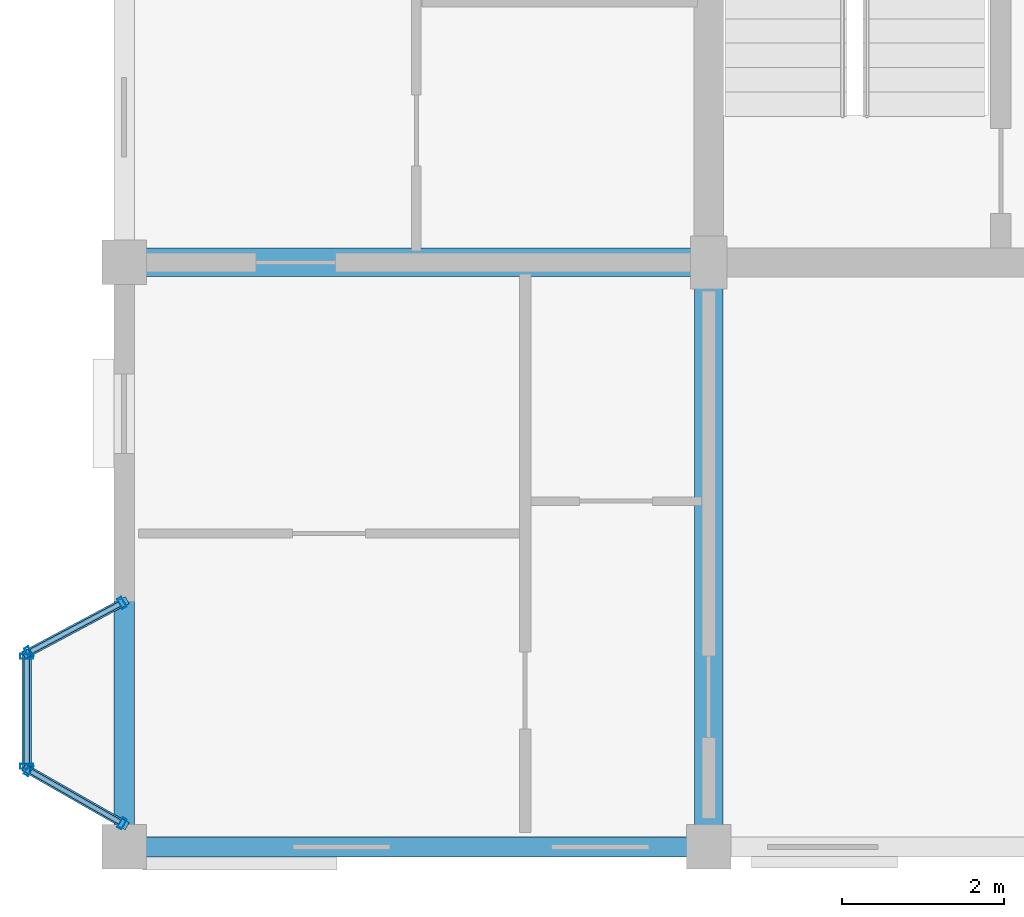
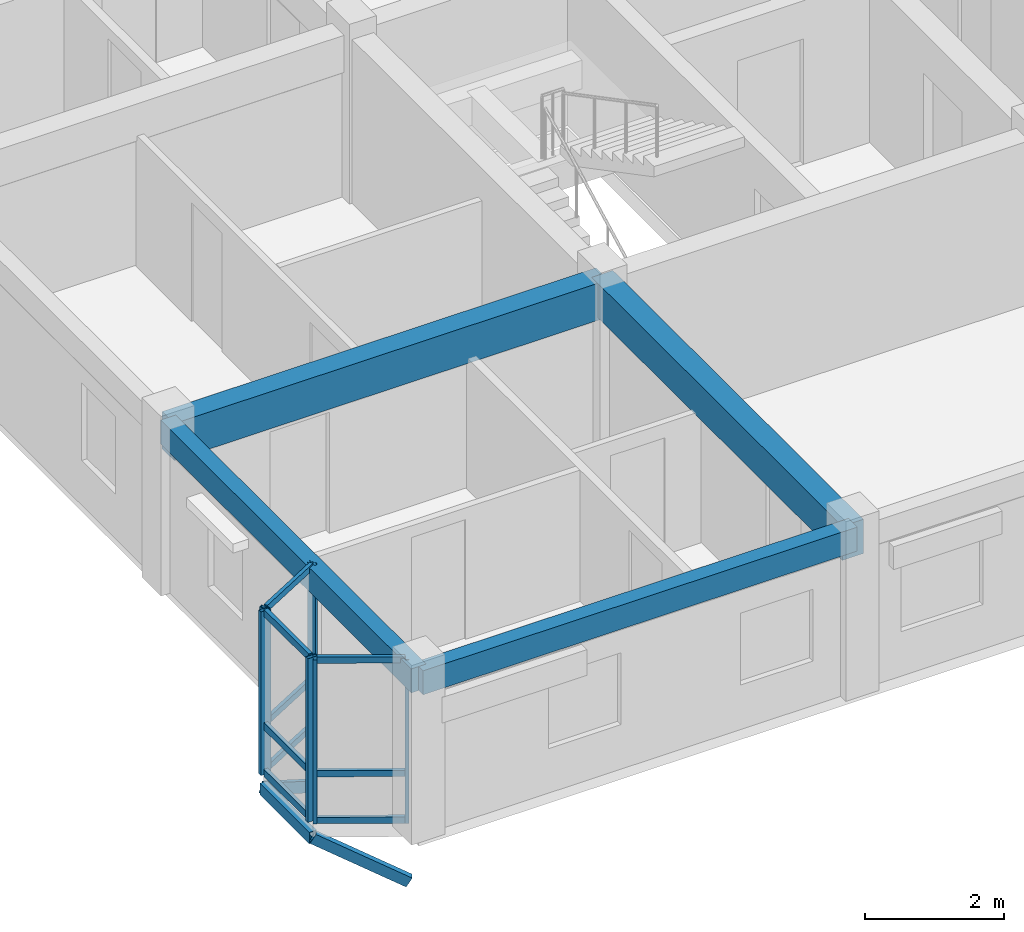
# One storey, part 2 of 77: 18 members, 4 beams, 3 elements without a shape of their own.
"""IFC4 building model written with IfcOpenShell, lengths in metres."""

from ifc_helpers import new_model, si_unit, direction, frame, origin, origin_2d, place, context, subcontext, project, spatial, rectangle, hollow_rectangle, extrude, material, layer, layer_set, material_profile, profile_set, type_object, element, aggregate, save


model = new_model("IFC4")

# Units and contexts
model_context = context("Model", 3, precision=1e-05, world=origin(), true_north=direction((0.0, 1.0)))
body_context = subcontext(model_context, "Body", "Model", "MODEL_VIEW")
ifc_project = project(units=[si_unit("LENGTHUNIT", "METRE"), si_unit("AREAUNIT", "SQUARE_METRE"), si_unit("VOLUMEUNIT", "CUBIC_METRE"), si_unit("PLANEANGLEUNIT", "RADIAN"), si_unit("MASSUNIT", "GRAM", prefix="KILO"), si_unit("THERMODYNAMICTEMPERATUREUNIT", "KELVIN"), si_unit("POWERUNIT", "WATT")], contexts=[model_context])

# Site, building, storey
site_placement = place(None, origin())
site = spatial("IfcSite", under=ifc_project, at=site_placement, CompositionType="ELEMENT")
building_placement = place(site_placement, origin())
building = spatial("IfcBuilding", under=site, at=building_placement, Name="Tavuni Mirador Residences", CompositionType="ELEMENT")
storey_placement = place(building_placement, frame((0.0, 0.0, 17.10009765625)))
storey = spatial("IfcBuildingStorey", under=building, at=storey_placement, Name="L05", CompositionType="ELEMENT", Elevation=17.10009765625)

# Beams
ifc_material_1 = material(Name="Precast concrete C40/50", Category="concrete")
ifc_material_profile_1 = material_profile(ifc_material_1, rectangle(XDim=0.35009765625, YDim=0.60009765625, at=origin_2d()), Name="PC 350x600", Category="concrete")
ifc_profile_set_1 = profile_set([ifc_material_profile_1], Name="Precast concrete C40/50")
beam_type_1 = type_object("IfcBeamType", Name="BT-B600", PredefinedType="BEAM", material=ifc_profile_set_1)
beam_1_placement = place(storey_placement, frame((10.800048828125, 7.199951171875, 2.56982421875), z_axis=(0.0, 1.0, 0.0), x_axis=(-1.0, 0.0, 0.0)))
element("IfcBeam", 1, at=beam_1_placement, inside=storey, type_object=beam_type_1, Name="BMY-BLK-A-L05-01-00", PredefinedType="BEAM", context=body_context, shape_type="SweptSolid", body=[
    extrude(rectangle(XDim=0.35009765625, YDim=0.60009765625, at=origin_2d()), origin(), (0.0, 0.0, 1.0), 7.199951171875),
])
ifc_material_profile_2 = material_profile(ifc_material_1, rectangle(XDim=0.35009765625, YDim=0.64990234375, at=origin_2d()), Name="PC 350x650", Category="concrete")
ifc_profile_set_2 = profile_set([ifc_material_profile_2], Name="Precast concrete C40/50")
beam_type_2 = type_object("IfcBeamType", Name="BT-B650", PredefinedType="BEAM", material=ifc_profile_set_2)
beam_2_placement = place(storey_placement, frame((3.60009765625, 14.39990234375, 2.544921875), z_axis=(1.0, 0.0, 0.0), x_axis=(0.0, 1.0, 0.0)))
element("IfcBeam", 2, at=beam_2_placement, inside=storey, type_object=beam_type_2, Name="BMX-BLK-A-L05-00-01", PredefinedType="BEAM", context=body_context, shape_type="SweptSolid", body=[
    extrude(rectangle(XDim=0.35009765625, YDim=0.64990234375, at=origin_2d()), origin(), (0.0, 0.0, 1.0), 7.199951171875),
])
ifc_material_profile_3 = material_profile(ifc_material_1, rectangle(XDim=0.25, YDim=0.419921875, at=origin_2d()), Name="PC 250x420", Category="concrete")
ifc_profile_set_3 = profile_set([ifc_material_profile_3], Name="Precast concrete C40/50")
beam_type_3 = type_object("IfcBeamType", Name="BT-SP420", PredefinedType="SPANDREL", material=ifc_profile_set_3)
for number, where, z_axis, x_axis, name in (
    (3, (3.60009765625, 7.199951171875, 2.659912109375), (1.0, 0.0, 0.0), (0.0, 1.0, 0.0), "BMX-BLK-A-L05-00-00"),
    (4, (3.60009765625, 7.199951171875, 2.659912109375), (0.0, 1.0, 0.0), (-1.0, 0.0, 0.0), "BMY-BLK-A-L05-00-00"),
):
    element("IfcBeam", number, at=place(storey_placement, frame(where, z_axis=z_axis, x_axis=x_axis)), inside=storey, type_object=beam_type_3, Name=name, PredefinedType="SPANDREL", context=body_context, shape_type="SweptSolid", body=[
        extrude(rectangle(XDim=0.25, YDim=0.419921875, at=origin_2d()), origin(), (0.0, 0.0, 1.0), 7.199951171875),
    ])

# Curtain wall, members
ifc_material_2 = material(Name="Anodised aluminium", Category="aluminium")
ifc_layer_1 = layer(ifc_material_2, 0.175048828125, Name="Anodised aluminium", Category="aluminium")
ifc_layer_set_1 = layer_set([ifc_layer_1], Name="Anodised aluminium")
curtain_wall_type_1 = type_object("IfcCurtainWallType", Name="CWT-MIR-C", PredefinedType="NOTDEFINED", material=ifc_layer_set_1)
curtain_wall_1_placement = place(storey_placement, origin())
curtain_wall_1 = element("IfcCurtainWall", 5, at=curtain_wall_1_placement, inside=storey, type_object=curtain_wall_type_1, Name="CW-MIR-A-W1-L05-M1", PredefinedType="NOTDEFINED")
ifc_material_profile_4 = material_profile(ifc_material_2, hollow_rectangle(XDim=0.06005859375, YDim=0.139892578125, WallThickness=0.00390625, at=origin_2d()), Name="ALU 60x140x4.0", Category="aluminium")
ifc_profile_set_4 = profile_set([ifc_material_profile_4], Name="Anodised aluminium")
member_type_1 = type_object("IfcMemberType", Name="CWM-140", PredefinedType="MULLION", material=ifc_profile_set_4)
member_1_placement = place(storey_placement, frame((3.573486328125, 10.205810546875, 0.0), z_axis=(0.0, 0.0, 1.0), x_axis=(-0.882352941175, -0.470588235296, 0.0)))
member_1 = element("IfcMember", 6, at=member_1_placement, type_object=member_type_1, Name="CW-03 mullion 1", PredefinedType="MULLION", context=body_context, shape_type="SweptSolid", body=[
    extrude(hollow_rectangle(XDim=0.06005859375, YDim=0.139892578125, WallThickness=0.00390625, at=origin_2d()), origin(), (0.0, 0.0, 1.0), 2.869873046875),
])
member_2_placement = place(storey_placement, frame((2.426513671875, 9.59423828125, 0.0), z_axis=(0.0, 0.0, 1.0), x_axis=(-0.882352941175, -0.470588235296, 0.0)))
member_2 = element("IfcMember", 7, at=member_2_placement, type_object=member_type_1, Name="CW-03 mullion 2", PredefinedType="MULLION", context=body_context, shape_type="SweptSolid", body=[
    extrude(hollow_rectangle(XDim=0.06005859375, YDim=0.139892578125, WallThickness=0.00390625, at=origin_2d()), origin(), (0.0, 0.0, 1.0), 2.869873046875),
])

ifc_layer_2 = layer(ifc_material_2, 0.1650390625, Name="Anodised aluminium", Category="aluminium")
ifc_layer_set_2 = layer_set([ifc_layer_2], Name="Anodised aluminium")
curtain_wall_type_2 = type_object("IfcCurtainWallType", Name="CWT-MIR-A", PredefinedType="NOTDEFINED", material=ifc_layer_set_2)
curtain_wall_2_placement = place(storey_placement, origin())
curtain_wall_2 = element("IfcCurtainWall", 8, at=curtain_wall_2_placement, inside=storey, type_object=curtain_wall_type_2, Name="CW-MIR-A-W1-L05-M2", PredefinedType="NOTDEFINED")
member_3_placement = place(storey_placement, frame((2.426025390625, 8.14501953125, 0.0), z_axis=(0.0, 0.0, 1.0), x_axis=(0.868465738194, -0.495749192217, 0.0)))
member_3 = element("IfcMember", 9, at=member_3_placement, type_object=member_type_1, Name="CW-01 mullion 1", PredefinedType="MULLION", context=body_context, shape_type="SweptSolid", body=[
    extrude(hollow_rectangle(XDim=0.06005859375, YDim=0.139892578125, WallThickness=0.00390625, at=origin_2d()), origin(), (0.0, 0.0, 1.0), 2.869873046875),
])
member_4_placement = place(storey_placement, frame((3.573974609375, 7.489990234375, 0.0), z_axis=(0.0, 0.0, 1.0), x_axis=(0.868465738194, -0.495749192217, 0.0)))
member_4 = element("IfcMember", 10, at=member_4_placement, type_object=member_type_1, Name="CW-01 mullion 2", PredefinedType="MULLION", context=body_context, shape_type="SweptSolid", body=[
    extrude(hollow_rectangle(XDim=0.06005859375, YDim=0.139892578125, WallThickness=0.00390625, at=origin_2d()), origin(), (0.0, 0.0, 1.0), 2.869873046875),
])

ifc_layer_3 = layer(ifc_material_2, 0.159912109375, Name="Anodised aluminium", Category="aluminium")
ifc_layer_set_3 = layer_set([ifc_layer_3], Name="Anodised aluminium")
curtain_wall_type_3 = type_object("IfcCurtainWallType", Name="CWT-MIR-D", PredefinedType="NOTDEFINED", material=ifc_layer_set_3)
curtain_wall_3_placement = place(storey_placement, origin())
curtain_wall_3 = element("IfcCurtainWall", 11, at=curtain_wall_3_placement, inside=storey, type_object=curtain_wall_type_3, Name="CW-MIR-A-W1-L05-MF", PredefinedType="NOTDEFINED")
ifc_material_profile_5 = material_profile(ifc_material_2, hollow_rectangle(XDim=0.06494140625, YDim=0.1650390625, WallThickness=0.00439453125, at=origin_2d()), Name="ALU 65x165x4.5", Category="aluminium")
ifc_profile_set_5 = profile_set([ifc_material_profile_5], Name="Anodised aluminium")
member_type_2 = type_object("IfcMemberType", Name="CWM-165", PredefinedType="MULLION", material=ifc_profile_set_5)
member_5_placement = place(storey_placement, frame((2.39990234375, 9.547607421875, 0.0), z_axis=(0.0, 0.0, 1.0), x_axis=(0.0, -1.0, 0.0)))
member_5 = element("IfcMember", 12, at=member_5_placement, type_object=member_type_2, Name="CW-04 mullion 1", PredefinedType="MULLION", context=body_context, shape_type="SweptSolid", body=[
    extrude(hollow_rectangle(XDim=0.06494140625, YDim=0.1650390625, WallThickness=0.00439453125, at=origin_2d()), origin(), (0.0, 0.0, 1.0), 2.869873046875),
])
member_6_placement = place(storey_placement, frame((2.39990234375, 8.1923828125, 0.0), z_axis=(0.0, 0.0, 1.0), x_axis=(0.0, -1.0, 0.0)))
member_6 = element("IfcMember", 13, at=member_6_placement, type_object=member_type_2, Name="CW-04 mullion 2", PredefinedType="MULLION", context=body_context, shape_type="SweptSolid", body=[
    extrude(hollow_rectangle(XDim=0.06494140625, YDim=0.1650390625, WallThickness=0.00439453125, at=origin_2d()), origin(), (0.0, 0.0, 1.0), 2.869873046875),
])

# Member
ifc_material_profile_6 = material_profile(ifc_material_2, hollow_rectangle(XDim=0.06005859375, YDim=0.110107421875, WallThickness=0.00390625, at=origin_2d()), Name="ALU 60x110x4.0", Category="aluminium")
ifc_profile_set_6 = profile_set([ifc_material_profile_6], Name="Anodised aluminium")
member_type_3 = type_object("IfcMemberType", Name="CWT-110", PredefinedType="USERDEFINED", material=ifc_profile_set_6)
member_7_placement = place(storey_placement, frame((3.547119140625, 10.191650390625, 0.02978515625), z_axis=(-0.882385637708, -0.470526924168, 0.0), x_axis=(0.470526924168, -0.882385637708, 0.0)))
member_7 = element("IfcMember", 14, at=member_7_placement, type_object=member_type_3, Name="CW-03 transom 1.1", ObjectType="TRANSOM", PredefinedType="USERDEFINED", context=body_context, shape_type="SweptSolid", body=[
    extrude(hollow_rectangle(XDim=0.06005859375, YDim=0.110107421875, WallThickness=0.00390625, at=origin_2d()), origin(), (0.0, 0.0, 1.0), 1.239990234375),
])

member_8_placement = place(storey_placement, frame((3.547119140625, 10.191650390625, 0.849853515625), z_axis=(-0.882385637708, -0.470526924168, 0.0), x_axis=(0.470526924168, -0.882385637708, 0.0)))
member_8 = element("IfcMember", 15, at=member_8_placement, type_object=member_type_3, Name="CW-03 transom 1.2", ObjectType="TRANSOM", PredefinedType="USERDEFINED", context=body_context, shape_type="SweptSolid", body=[
    extrude(hollow_rectangle(XDim=0.06005859375, YDim=0.110107421875, WallThickness=0.00390625, at=origin_2d()), origin(), (0.0, 0.0, 1.0), 1.239990234375),
])

member_9_placement = place(storey_placement, frame((3.547119140625, 10.191650390625, 2.83984375), z_axis=(-0.882385637708, -0.470526924168, 0.0), x_axis=(0.470526924168, -0.882385637708, 0.0)))
member_9 = element("IfcMember", 16, at=member_9_placement, type_object=member_type_3, Name="CW-03 transom 1.3", ObjectType="TRANSOM", PredefinedType="USERDEFINED", context=body_context, shape_type="SweptSolid", body=[
    extrude(hollow_rectangle(XDim=0.06005859375, YDim=0.110107421875, WallThickness=0.00390625, at=origin_2d()), origin(), (0.0, 0.0, 1.0), 1.239990234375),
])

aggregate(curtain_wall_1, [member_1, member_2, member_7, member_8, member_9])

member_10_placement = place(storey_placement, frame((2.4521484375, 8.13037109375, 0.02978515625), z_axis=(0.868374088354, -0.495909712222, 0.0), x_axis=(0.495909712222, 0.868374088354, 0.0)))
member_10 = element("IfcMember", 17, at=member_10_placement, type_object=member_type_3, Name="CW-01 transom 1.1", ObjectType="TRANSOM", PredefinedType="USERDEFINED", context=body_context, shape_type="SweptSolid", body=[
    extrude(hollow_rectangle(XDim=0.06005859375, YDim=0.110107421875, WallThickness=0.00390625, at=origin_2d()), origin(), (0.0, 0.0, 1.0), 1.26171875),
])

member_11_placement = place(storey_placement, frame((2.4521484375, 8.13037109375, 0.849853515625), z_axis=(0.868374088354, -0.495909712222, 0.0), x_axis=(0.495909712222, 0.868374088354, 0.0)))
member_11 = element("IfcMember", 18, at=member_11_placement, type_object=member_type_3, Name="CW-01 transom 1.2", ObjectType="TRANSOM", PredefinedType="USERDEFINED", context=body_context, shape_type="SweptSolid", body=[
    extrude(hollow_rectangle(XDim=0.06005859375, YDim=0.110107421875, WallThickness=0.00390625, at=origin_2d()), origin(), (0.0, 0.0, 1.0), 1.26171875),
])

member_12_placement = place(storey_placement, frame((2.4521484375, 8.13037109375, 2.83984375), z_axis=(0.868374088354, -0.495909712222, 0.0), x_axis=(0.495909712222, 0.868374088354, 0.0)))
member_12 = element("IfcMember", 19, at=member_12_placement, type_object=member_type_3, Name="CW-01 transom 1.3", ObjectType="TRANSOM", PredefinedType="USERDEFINED", context=body_context, shape_type="SweptSolid", body=[
    extrude(hollow_rectangle(XDim=0.06005859375, YDim=0.110107421875, WallThickness=0.00390625, at=origin_2d()), origin(), (0.0, 0.0, 1.0), 1.26171875),
])

aggregate(curtain_wall_2, [member_3, member_4, member_10, member_11, member_12])

ifc_material_profile_7 = material_profile(ifc_material_2, hollow_rectangle(XDim=0.06494140625, YDim=0.125, WallThickness=0.00439453125, at=origin_2d()), Name="ALU 65x125x4.5", Category="aluminium")
ifc_profile_set_7 = profile_set([ifc_material_profile_7], Name="Anodised aluminium")
member_type_4 = type_object("IfcMemberType", Name="CWT-125", PredefinedType="USERDEFINED", material=ifc_profile_set_7)
member_13_placement = place(storey_placement, frame((2.39990234375, 9.514892578125, 0.032470703125), z_axis=(0.0, -1.0, 0.0), x_axis=(1.0, 0.0, 0.0)))
member_13 = element("IfcMember", 20, at=member_13_placement, type_object=member_type_4, Name="CW-04 transom 1.1", ObjectType="TRANSOM", PredefinedType="USERDEFINED", context=body_context, shape_type="SweptSolid", body=[
    extrude(hollow_rectangle(XDim=0.06494140625, YDim=0.125, WallThickness=0.00439453125, at=origin_2d()), origin(), (0.0, 0.0, 1.0), 1.289794921875),
])

member_14_placement = place(storey_placement, frame((2.39990234375, 9.514892578125, 0.849853515625), z_axis=(0.0, -1.0, 0.0), x_axis=(1.0, 0.0, 0.0)))
member_14 = element("IfcMember", 21, at=member_14_placement, type_object=member_type_4, Name="CW-04 transom 1.2", ObjectType="TRANSOM", PredefinedType="USERDEFINED", context=body_context, shape_type="SweptSolid", body=[
    extrude(hollow_rectangle(XDim=0.06494140625, YDim=0.125, WallThickness=0.00439453125, at=origin_2d()), origin(), (0.0, 0.0, 1.0), 1.289794921875),
])

member_15_placement = place(storey_placement, frame((2.39990234375, 9.514892578125, 2.83740234375), z_axis=(0.0, -1.0, 0.0), x_axis=(1.0, 0.0, 0.0)))
member_15 = element("IfcMember", 22, at=member_15_placement, type_object=member_type_4, Name="CW-04 transom 1.3", ObjectType="TRANSOM", PredefinedType="USERDEFINED", context=body_context, shape_type="SweptSolid", body=[
    extrude(hollow_rectangle(XDim=0.06494140625, YDim=0.125, WallThickness=0.00439453125, at=origin_2d()), origin(), (0.0, 0.0, 1.0), 1.289794921875),
])

aggregate(curtain_wall_3, [member_5, member_6, member_13, member_14, member_15])

# Members
ifc_material_3 = material(Name="Structural steel S355", Category="steel")
ifc_material_profile_8 = material_profile(ifc_material_3, hollow_rectangle(XDim=0.10009765625, YDim=0.179931640625, WallThickness=0.008056640625, at=origin_2d()), Name="RHS 180x100x8.0", Category="steel")
ifc_profile_set_8 = profile_set([ifc_material_profile_8], Name="Structural steel S355")
member_type_5 = type_object("IfcMemberType", Name="MT-BR-RHS180", PredefinedType="BRACE", material=ifc_profile_set_8)
member_16_placement = place(storey_placement, frame((3.60009765625, 7.47509765625, -1.050048828125), z_axis=(-0.758710666466, 0.432909564572, 0.486772465833), x_axis=(-0.495587053321, -0.868558272415, 0.0)))
element("IfcMember", 23, at=member_16_placement, inside=storey, type_object=member_type_5, Name="MBRK-MIR-A-W1-L05-1", PredefinedType="BRACE", context=body_context, shape_type="SweptSolid", body=[
    extrude(hollow_rectangle(XDim=0.10009765625, YDim=0.179931640625, WallThickness=0.008056640625, at=origin_2d()), origin(), (0.0, 0.0, 1.0), 1.581787109375),
])
member_17_placement = place(storey_placement, frame((3.60009765625, 10.219970703125, -1.050048828125), z_axis=(-0.767896193149, -0.409409260017, 0.492665702439), x_axis=(0.470467115558, -0.882417527692, 0.0)))
element("IfcMember", 24, at=member_17_placement, inside=storey, type_object=member_type_5, Name="MBRK-MIR-A-W1-L05-2", PredefinedType="BRACE", context=body_context, shape_type="SweptSolid", body=[
    extrude(hollow_rectangle(XDim=0.10009765625, YDim=0.179931640625, WallThickness=0.008056640625, at=origin_2d()), origin(), (0.0, 0.0, 1.0), 1.56298828125),
])
ifc_material_profile_9 = material_profile(ifc_material_3, hollow_rectangle(XDim=0.1201171875, YDim=0.199951171875, WallThickness=0.010009765625, at=origin_2d()), Name="RHS 200x120x10.0", Category="steel")
ifc_profile_set_9 = profile_set([ifc_material_profile_9], Name="Structural steel S355")
member_type_6 = type_object("IfcMemberType", Name="MT-ST-RHS200", PredefinedType="STRUT", material=ifc_profile_set_9)
member_18_placement = place(storey_placement, frame((2.39990234375, 8.159912109375, -0.280029296875), z_axis=(0.0, 1.0, 0.0), x_axis=(-1.0, 0.0, 0.0)))
element("IfcMember", 25, at=member_18_placement, inside=storey, type_object=member_type_6, Name="MRIM-MIR-A-W1-L05", PredefinedType="STRUT", context=body_context, shape_type="SweptSolid", body=[
    extrude(hollow_rectangle(XDim=0.1201171875, YDim=0.199951171875, WallThickness=0.010009765625, at=origin_2d()), origin(), (0.0, 0.0, 1.0), 1.420166015625),
])

save(model, "model.ifc")
